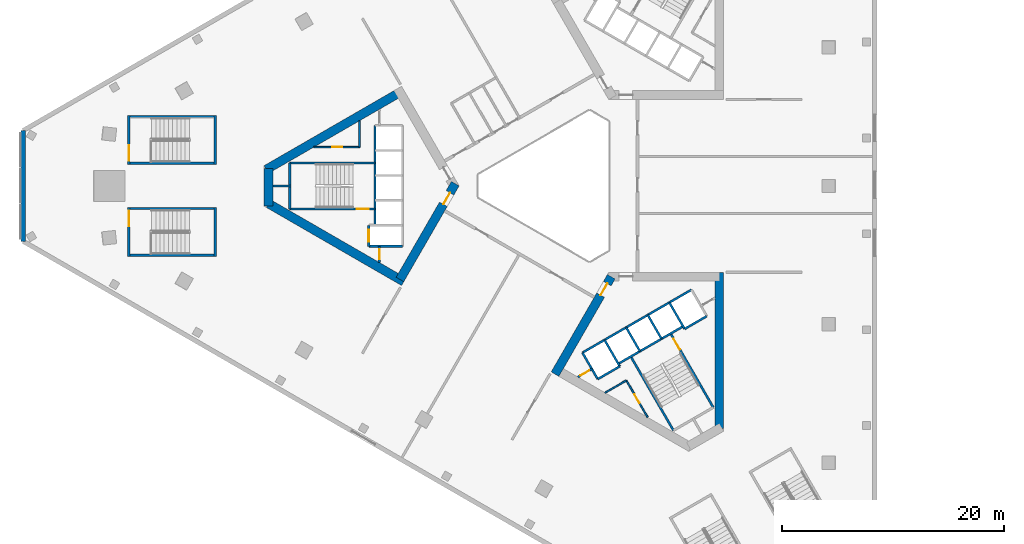
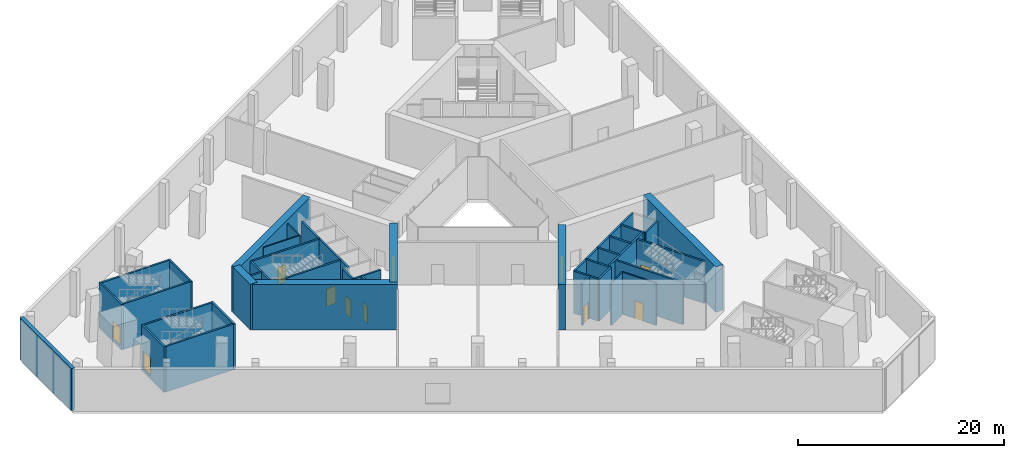
# One storey, part 8 of 35: 39 walls, 11 doors, 11 openings.
"""IFC4 building model written with IfcOpenShell, lengths in metres."""

from ifc_helpers import new_model, si_unit, direction, frame, frame_2d, origin, place, context, subcontext, project, spatial, rectangle, extrude, material, layer, layer_set, type_object, element, fill, save


model = new_model("IFC4")

# Units and contexts
model_context = context("Model", 3, precision=1e-05, world=origin(), true_north=direction((0.0, 1.0)))
body_context = subcontext(model_context, "Body", "Model", "MODEL_VIEW")
ifc_project = project(units=[si_unit("LENGTHUNIT", "METRE"), si_unit("AREAUNIT", "SQUARE_METRE"), si_unit("VOLUMEUNIT", "CUBIC_METRE"), si_unit("PLANEANGLEUNIT", "RADIAN"), si_unit("MASSUNIT", "GRAM", prefix="KILO")], contexts=[model_context])

# Site, building, storey
site_placement = place(None, origin())
site = spatial("IfcSite", under=ifc_project, at=site_placement, CompositionType="ELEMENT")
building_placement = place(site_placement, origin())
building = spatial("IfcBuilding", under=site, at=building_placement, Name="Jabali Bay Hotel Tower and Convention Centre", CompositionType="ELEMENT")
storey_placement = place(building_placement, frame((0.0, 0.0, 15.0)))
storey = spatial("IfcBuildingStorey", under=building, at=storey_placement, Name="L02", CompositionType="ELEMENT", Elevation=15.0)

# Wall
ifc_material_1 = material(Name="Concrete C40", Category="concrete")
ifc_layer_1 = layer(ifc_material_1, 0.199951171875)
ifc_layer_set_1 = layer_set([ifc_layer_1], Name="Concrete C40")
wall_type_1 = type_object("IfcWallType", Name="Core partition wall 200", PredefinedType="PARTITIONING", material=ifc_layer_set_1)
wall_1_placement = place(storey_placement, frame((50.820068359375, 80.0, 0.0), z_axis=(0.0, 0.0, 1.0), x_axis=(-1.0, 0.0, 0.0)))
element("IfcWall", 1, at=wall_1_placement, inside=storey, type_object=wall_type_1, Name="Core wall 0.5 L02", PredefinedType="PARTITIONING", context=body_context, shape_type="SweptSolid", body=[
    extrude(rectangle(XDim=1.623046875, YDim=0.199951171875, at=frame_2d((0.8115234375, 0.0))), origin(), (0.0, 0.0, 1.0), 5.0),
])

# Wall, opening, door
wall_2_placement = place(storey_placement, frame((58.800048828125, 74.550048828125, 0.0), z_axis=(0.0, 0.0, 1.0), x_axis=(0.0, -1.0, 0.0)))
wall_2 = element("IfcWall", 2, at=wall_2_placement, inside=storey, type_object=wall_type_1, Name="Core wall 0.12 L02", PredefinedType="PARTITIONING", context=body_context, shape_type="SweptSolid", body=[
    extrude(rectangle(XDim=1.455078125, YDim=0.199951171875, at=frame_2d((0.7275390625, 0.0))), origin(), (0.0, 0.0, 1.0), 5.0),
])
opening_1_placement = place(wall_2_placement, frame((0.277587890625, 0.0, 0.0)))
opening_1 = element("IfcOpeningElement", 3, at=opening_1_placement, cuts=wall_2, Name="Opening D146", PredefinedType="OPENING", context=body_context, shape_type="SweptSolid", body=[
    extrude(rectangle(XDim=0.89990234375, YDim=2.10009765625, at=frame_2d((0.449951171875, 1.050048828125))), frame((0.0, 0.1103515625, 0.0), z_axis=(0.0, -1.0, 0.0), x_axis=(1.0, 0.0, 0.0)), (0.0, 0.0, 1.0), 0.220947265625),
])
ifc_material_2 = material(Name="Fire-rated steel door", Category="steel")
door_type_1 = type_object("IfcDoorType", Name="Vestibule fire door 900 x 2100", OperationType="NOTDEFINED", PredefinedType="NOTDEFINED", material=ifc_material_2)
door_1_placement = place(opening_1_placement, origin())
door_1 = element("IfcDoor", 4, at=door_1_placement, inside=storey, type_object=door_type_1, Name="Vestibule fire door D146", OperationType="SINGLE_SWING_LEFT", OverallHeight=2.10009765625, OverallWidth=0.89990234375, PredefinedType="NOTDEFINED", context=body_context, shape_type="SweptSolid", body=[
    extrude(rectangle(XDim=0.89990234375, YDim=2.10009765625, at=frame_2d((0.449951171875, 1.050048828125))), frame((0.0, 0.02490234375, 0.0), z_axis=(0.0, -1.0, 0.0), x_axis=(1.0, 0.0, 0.0)), (0.0, 0.0, 1.0), 0.050048828125),
])
fill(opening_1, door_1)

wall_3_placement = place(storey_placement, frame((76.719970703125, 62.748779296875, 0.0), z_axis=(0.0, 0.0, 1.0), x_axis=(0.866054810376, 0.49994906283, 0.0)))
wall_3 = element("IfcWall", 5, at=wall_3_placement, inside=storey, type_object=wall_type_1, Name="Core wall 2.11 L02", PredefinedType="PARTITIONING", context=body_context, shape_type="SweptSolid", body=[
    extrude(rectangle(XDim=1.461181640625, YDim=0.199951171875, at=frame_2d((0.73046875, 0.0))), origin(), (0.0, 0.0, 1.0), 5.0),
])
opening_2_placement = place(wall_3_placement, frame((0.280517578125, 0.0, 0.0)))
opening_2 = element("IfcOpeningElement", 6, at=opening_2_placement, cuts=wall_3, Name="Opening D159", PredefinedType="OPENING", context=body_context, shape_type="SweptSolid", body=[
    extrude(rectangle(XDim=0.89990234375, YDim=2.10009765625, at=frame_2d((0.449951171875, 1.050048828125))), frame((0.0, 0.1103515625, 0.0), z_axis=(0.0, -1.0, 0.0), x_axis=(1.0, 0.0, 0.0)), (0.0, 0.0, 1.0), 0.220947265625),
])
door_2_placement = place(opening_2_placement, origin())
door_2 = element("IfcDoor", 7, at=door_2_placement, inside=storey, type_object=door_type_1, Name="Vestibule fire door D159", OperationType="SINGLE_SWING_LEFT", OverallHeight=2.10009765625, OverallWidth=0.89990234375, PredefinedType="NOTDEFINED", context=body_context, shape_type="SweptSolid", body=[
    extrude(rectangle(XDim=0.89990234375, YDim=2.10009765625, at=frame_2d((0.449951171875, 1.050048828125))), frame((0.0, 0.02490234375, 0.0), z_axis=(0.0, -1.0, 0.0), x_axis=(1.0, 0.0, 0.0)), (0.0, 0.0, 1.0), 0.050048828125),
])
fill(opening_2, door_2)

ifc_material_3 = material(Name="Fire-rated board partition")
ifc_layer_2 = layer(ifc_material_3, 0.14990234375)
ifc_layer_set_2 = layer_set([ifc_layer_2], Name="Fire-rated board partition")
wall_type_2 = type_object("IfcWallType", Name="Core room partition 150", PredefinedType="PARTITIONING", material=ifc_layer_set_2)
wall_4_placement = place(storey_placement, frame((57.02001953125, 83.5, 0.0), z_axis=(0.0, 0.0, 1.0), x_axis=(-1.0, 0.0, 0.0)))
wall_4 = element("IfcWall", 8, at=wall_4_placement, inside=storey, type_object=wall_type_2, Name="Core wall 0.1 L02", PredefinedType="PARTITIONING", context=body_context, shape_type="SweptSolid", body=[
    extrude(rectangle(XDim=4.117919921875, YDim=0.14990234375, at=frame_2d((2.05908203125, 0.0))), origin(), (0.0, 0.0, 1.0), 5.0),
])
opening_3_placement = place(wall_4_placement, frame((1.58154296875, 0.0, 0.0)))
opening_3 = element("IfcOpeningElement", 9, at=opening_3_placement, cuts=wall_4, Name="Opening D149", PredefinedType="OPENING", context=body_context, shape_type="SweptSolid", body=[
    extrude(rectangle(XDim=0.89990234375, YDim=2.10009765625, at=frame_2d((0.449951171875, 1.050048828125))), frame((0.0, 0.08544921875, 0.0), z_axis=(0.0, -1.0, 0.0), x_axis=(1.0, 0.0, 0.0)), (0.0, 0.0, 1.0), 0.1708984375),
])
door_type_2 = type_object("IfcDoorType", Name="Core room door 900 x 2100", OperationType="NOTDEFINED", PredefinedType="NOTDEFINED", material=ifc_material_2)
door_3_placement = place(opening_3_placement, origin())
door_3 = element("IfcDoor", 10, at=door_3_placement, inside=storey, type_object=door_type_2, Name="Core room door D149", OperationType="SINGLE_SWING_LEFT", OverallHeight=2.10009765625, OverallWidth=0.89990234375, PredefinedType="NOTDEFINED", context=body_context, shape_type="SweptSolid", body=[
    extrude(rectangle(XDim=0.89990234375, YDim=2.10009765625, at=frame_2d((0.449951171875, 1.050048828125))), frame((0.0, 0.02490234375, 0.0), z_axis=(0.0, -1.0, 0.0), x_axis=(1.0, 0.0, 0.0)), (0.0, 0.0, 1.0), 0.050048828125),
])
fill(opening_3, door_3)

# Wall
wall_5_placement = place(storey_placement, frame((57.02001953125, 85.87744140625, 0.0), z_axis=(0.0, 0.0, 1.0), x_axis=(0.0, -1.0, 0.0)))
element("IfcWall", 11, at=wall_5_placement, inside=storey, type_object=wall_type_2, Name="Core wall 0.15 L02", PredefinedType="PARTITIONING", context=body_context, shape_type="SweptSolid", body=[
    extrude(rectangle(XDim=2.37744140625, YDim=0.14990234375, at=frame_2d((1.188720703125, 0.0))), origin(), (0.0, 0.0, 1.0), 5.0),
])

# Wall, opening, door
wall_6_placement = place(storey_placement, frame((81.093994140625, 62.445068359375, 0.0), z_axis=(0.0, 0.0, 1.0), x_axis=(0.499987921047, -0.866032377459, 0.0)))
wall_6 = element("IfcWall", 12, at=wall_6_placement, inside=storey, type_object=wall_type_2, Name="Core wall 2.1 L02", PredefinedType="PARTITIONING", context=body_context, shape_type="SweptSolid", body=[
    extrude(rectangle(XDim=3.84765625, YDim=0.14990234375, at=frame_2d((1.923828125, 0.0))), origin(), (0.0, 0.0, 1.0), 5.0),
])
opening_4_placement = place(wall_6_placement, frame((1.446533203125, 0.0, 0.0)))
opening_4 = element("IfcOpeningElement", 13, at=opening_4_placement, cuts=wall_6, Name="Opening D161", PredefinedType="OPENING", context=body_context, shape_type="SweptSolid", body=[
    extrude(rectangle(XDim=0.89990234375, YDim=2.10009765625, at=frame_2d((0.449951171875, 1.050048828125))), frame((0.0, 0.08544921875, 0.0), z_axis=(0.0, -1.0, 0.0), x_axis=(1.0, 0.0, 0.0)), (0.0, 0.0, 1.0), 0.1708984375),
])
door_4_placement = place(opening_4_placement, origin())
door_4 = element("IfcDoor", 14, at=door_4_placement, inside=storey, type_object=door_type_2, Name="Core room door D161", OperationType="SINGLE_SWING_LEFT", OverallHeight=2.10009765625, OverallWidth=0.89990234375, PredefinedType="NOTDEFINED", context=body_context, shape_type="SweptSolid", body=[
    extrude(rectangle(XDim=0.89990234375, YDim=2.10009765625, at=frame_2d((0.449951171875, 1.050048828125))), frame((0.0, 0.02490234375, 0.0), z_axis=(0.0, -1.0, 0.0), x_axis=(1.0, 0.0, 0.0)), (0.0, 0.0, 1.0), 0.050048828125),
])
fill(opening_4, door_4)

# Walls
wall_7_placement = place(storey_placement, frame((79.169921875, 61.334228515625, 0.0), z_axis=(0.0, 0.0, 1.0), x_axis=(0.866030041738, 0.499991966744, 0.0)))
element("IfcWall", 15, at=wall_7_placement, inside=storey, type_object=wall_type_2, Name="Core wall 2.16 L02", PredefinedType="PARTITIONING", context=body_context, shape_type="SweptSolid", body=[
    extrude(rectangle(XDim=2.2216796875, YDim=0.14990234375, at=frame_2d((1.11083984375, 0.0))), origin(), (0.0, 0.0, 1.0), 5.0),
])
ifc_layer_3 = layer(ifc_material_1, 0.199951171875)
ifc_layer_set_3 = layer_set([ifc_layer_3], Name="Concrete C40")
wall_type_3 = type_object("IfcWallType", Name="Core stair wall 200", PredefinedType="SOLIDWALL", material=ifc_layer_set_3)
wall_8_placement = place(storey_placement, frame((58.419921875, 82.074951171875, 0.0), z_axis=(0.0, 0.0, 1.0), x_axis=(-1.0, 0.0, 0.0)))
element("IfcWall", 16, at=wall_8_placement, inside=storey, type_object=wall_type_3, Name="Core wall 0.3 L02", PredefinedType="SOLIDWALL", context=body_context, shape_type="SweptSolid", body=[
    extrude(rectangle(XDim=7.699951171875, YDim=0.199951171875, at=frame_2d((3.85009765625, 0.0))), origin(), (0.0, 0.0, 1.0), 5.0),
])

# Wall, opening, door
wall_9_placement = place(storey_placement, frame((58.419921875, 77.925048828125, 0.0), z_axis=(0.0, 0.0, 1.0), x_axis=(-1.0, 0.0, 0.0)))
wall_9 = element("IfcWall", 17, at=wall_9_placement, inside=storey, type_object=wall_type_3, Name="Core wall 0.7 L02", PredefinedType="SOLIDWALL", context=body_context, shape_type="SweptSolid", body=[
    extrude(rectangle(XDim=7.699951171875, YDim=0.199951171875, at=frame_2d((3.85009765625, 0.0))), origin(), (0.0, 0.0, 1.0), 5.0),
])
opening_5_placement = place(wall_9_placement, frame((0.550048828125, 0.0, 0.0)))
opening_5 = element("IfcOpeningElement", 18, at=opening_5_placement, cuts=wall_9, Name="Opening D148", PredefinedType="OPENING", context=body_context, shape_type="SweptSolid", body=[
    extrude(rectangle(XDim=1.10009765625, YDim=2.10009765625, at=frame_2d((0.550048828125, 1.050048828125))), frame((0.0, 0.1103515625, 0.0), z_axis=(0.0, -1.0, 0.0), x_axis=(1.0, 0.0, 0.0)), (0.0, 0.0, 1.0), 0.220947265625),
])
door_type_3 = type_object("IfcDoorType", Name="Stair fire door 1100 x 2100", OperationType="NOTDEFINED", PredefinedType="NOTDEFINED", material=ifc_material_2)
door_5_placement = place(opening_5_placement, origin())
door_5 = element("IfcDoor", 19, at=door_5_placement, inside=storey, type_object=door_type_3, Name="Stair fire door D148", OperationType="SINGLE_SWING_RIGHT", OverallHeight=2.10009765625, OverallWidth=1.10009765625, PredefinedType="NOTDEFINED", context=body_context, shape_type="SweptSolid", body=[
    extrude(rectangle(XDim=1.10009765625, YDim=2.10009765625, at=frame_2d((0.550048828125, 1.050048828125))), frame((0.0, 0.02490234375, 0.0), z_axis=(0.0, -1.0, 0.0), x_axis=(1.0, 0.0, 0.0)), (0.0, 0.0, 1.0), 0.050048828125),
])
fill(opening_5, door_5)

# Walls
wall_10_placement = place(storey_placement, frame((60.89990234375, 74.550048828125, 0.0), z_axis=(0.0, 0.0, 1.0), x_axis=(-1.0, 0.0, 0.0)))
element("IfcWall", 20, at=wall_10_placement, inside=storey, type_object=wall_type_3, Name="Core wall 0.9 L02", PredefinedType="SOLIDWALL", context=body_context, shape_type="SweptSolid", body=[
    extrude(rectangle(XDim=3.0498046875, YDim=0.199951171875, at=frame_2d((1.52490234375, 0.0))), origin(), (0.0, 0.0, 1.0), 5.0),
])
wall_11_placement = place(storey_placement, frame((58.419921875, 85.449951171875, 0.0), z_axis=(0.0, 0.0, 1.0), x_axis=(0.0, -1.0, 0.0)))
element("IfcWall", 21, at=wall_11_placement, inside=storey, type_object=wall_type_3, Name="Core wall 0.13 L02", PredefinedType="SOLIDWALL", context=body_context, shape_type="SweptSolid", body=[
    extrude(rectangle(XDim=9.0, YDim=0.199951171875, at=frame_2d((4.5, 0.0))), origin(), (0.0, 0.0, 1.0), 5.0),
])

# Wall, opening, door
wall_12_placement = place(storey_placement, frame((57.85009765625, 76.449951171875, 0.0), z_axis=(0.0, 0.0, 1.0), x_axis=(0.0, -1.0, 0.0)))
wall_12 = element("IfcWall", 22, at=wall_12_placement, inside=storey, type_object=wall_type_3, Name="Core wall 0.14 L02", PredefinedType="SOLIDWALL", context=body_context, shape_type="SweptSolid", body=[
    extrude(rectangle(XDim=1.89990234375, YDim=0.199951171875, at=frame_2d((0.949951171875, 0.0))), origin(), (0.0, 0.0, 1.0), 5.0),
])
opening_6_placement = place(wall_12_placement, frame((0.39990234375, 0.0, 0.0)))
opening_6 = element("IfcOpeningElement", 23, at=opening_6_placement, cuts=wall_12, Name="Opening LD5-L02", PredefinedType="OPENING", context=body_context, shape_type="SweptSolid", body=[
    extrude(rectangle(XDim=1.10009765625, YDim=2.10009765625, at=frame_2d((0.550048828125, 1.050048828125))), frame((0.0, 0.1103515625, 0.0), z_axis=(0.0, -1.0, 0.0), x_axis=(1.0, 0.0, 0.0)), (0.0, 0.0, 1.0), 0.220947265625),
])
ifc_material_4 = material(Name="Stainless steel landing door", Category="steel")
door_type_4 = type_object("IfcDoorType", Name="Landing door 1100 x 2100", OperationType="NOTDEFINED", PredefinedType="NOTDEFINED", material=ifc_material_4)
door_6_placement = place(opening_6_placement, origin())
door_6 = element("IfcDoor", 24, at=door_6_placement, inside=storey, type_object=door_type_4, Name="Landing doors LD5-L02", OperationType="SLIDING_TO_RIGHT", OverallHeight=2.10009765625, OverallWidth=1.10009765625, PredefinedType="NOTDEFINED", context=body_context, shape_type="SweptSolid", body=[
    extrude(rectangle(XDim=1.10009765625, YDim=2.10009765625, at=frame_2d((0.550048828125, 1.050048828125))), frame((0.0, 0.02490234375, 0.0), z_axis=(0.0, -1.0, 0.0), x_axis=(1.0, 0.0, 0.0)), (0.0, 0.0, 1.0), 0.050048828125),
])
fill(opening_6, door_6)

# Walls
wall_13_placement = place(storey_placement, frame((50.719970703125, 82.074951171875, 0.0), z_axis=(0.0, 0.0, 1.0), x_axis=(0.0, -1.0, 0.0)))
element("IfcWall", 25, at=wall_13_placement, inside=storey, type_object=wall_type_3, Name="Core wall 0.16 L02", PredefinedType="SOLIDWALL", context=body_context, shape_type="SweptSolid", body=[
    extrude(rectangle(XDim=4.14990234375, YDim=0.199951171875, at=frame_2d((2.074951171875, 0.0))), origin(), (0.0, 0.0, 1.0), 5.0),
])
for number, where, z_axis, x_axis, name in (
    (26, (77.13525390625, 64.95166015625, 0.0), (0.0, 0.0, 1.0), (0.499996545922, -0.866027397988, 0.0), "Core wall 2.0 L02"),
    (27, (79.127197265625, 66.1015625, 0.0), (0.0, 0.0, 1.0), (0.499996545922, -0.866027397988, 0.0), "Core wall 2.2 L02"),
):
    element("IfcWall", number, at=place(storey_placement, frame(where, z_axis=z_axis, x_axis=x_axis)), inside=storey, type_object=wall_type_3, Name=name, PredefinedType="SOLIDWALL", context=body_context, shape_type="SweptSolid", body=[
        extrude(rectangle(XDim=2.75, YDim=0.199951171875, at=frame_2d((1.375, 0.0))), origin(), (0.0, 0.0, 1.0), 5.0),
    ])
wall_14_placement = place(storey_placement, frame((81.492919921875, 64.603759765625, 0.0), z_axis=(0.0, 0.0, 1.0), x_axis=(0.500006057782, -0.866021906294, 0.0)))
element("IfcWall", 28, at=wall_14_placement, inside=storey, type_object=wall_type_3, Name="Core wall 2.3 L02", PredefinedType="SOLIDWALL", context=body_context, shape_type="SweptSolid", body=[
    extrude(rectangle(XDim=7.7001953125, YDim=0.199951171875, at=frame_2d((3.85009765625, 0.0))), origin(), (0.0, 0.0, 1.0), 5.0),
])
for number, where, z_axis, x_axis, name in (
    (29, (81.07568359375, 67.2265625, 0.0), (0.0, 0.0, 1.0), (0.50000366821, -0.866023285932, 0.0), "Core wall 2.4 L02"),
    (30, (83.024169921875, 68.3515625, 0.0), (0.0, 0.0, 1.0), (0.50000366821, -0.866023285932, 0.0), "Core wall 2.6 L02"),
):
    element("IfcWall", number, at=place(storey_placement, frame(where, z_axis=z_axis, x_axis=x_axis)), inside=storey, type_object=wall_type_3, Name=name, PredefinedType="SOLIDWALL", context=body_context, shape_type="SweptSolid", body=[
        extrude(rectangle(XDim=2.47998046875, YDim=0.199951171875, at=frame_2d((1.239990234375, 0.0))), origin(), (0.0, 0.0, 1.0), 5.0),
    ])

# Wall, opening, door
wall_15_placement = place(storey_placement, frame((85.0869140625, 66.6787109375, 0.0), z_axis=(0.0, 0.0, 1.0), x_axis=(0.500019787375, -0.866013979237, 0.0)))
wall_15 = element("IfcWall", 31, at=wall_15_placement, inside=storey, type_object=wall_type_3, Name="Core wall 2.7 L02", PredefinedType="SOLIDWALL", context=body_context, shape_type="SweptSolid", body=[
    extrude(rectangle(XDim=7.699951171875, YDim=0.199951171875, at=frame_2d((3.85009765625, 0.0))), origin(), (0.0, 0.0, 1.0), 5.0),
])
opening_7_placement = place(wall_15_placement, frame((0.550048828125, 0.0, 0.0)))
opening_7 = element("IfcOpeningElement", 32, at=opening_7_placement, cuts=wall_15, Name="Opening D160", PredefinedType="OPENING", context=body_context, shape_type="SweptSolid", body=[
    extrude(rectangle(XDim=1.10009765625, YDim=2.10009765625, at=frame_2d((0.550048828125, 1.050048828125))), frame((0.0, 0.1103515625, 0.0), z_axis=(0.0, -1.0, 0.0), x_axis=(1.0, 0.0, 0.0)), (0.0, 0.0, 1.0), 0.220947265625),
])
door_7_placement = place(opening_7_placement, origin())
door_7 = element("IfcDoor", 33, at=door_7_placement, inside=storey, type_object=door_type_3, Name="Stair fire door D160", OperationType="SINGLE_SWING_RIGHT", OverallHeight=2.10009765625, OverallWidth=1.10009765625, PredefinedType="NOTDEFINED", context=body_context, shape_type="SweptSolid", body=[
    extrude(rectangle(XDim=1.10009765625, YDim=2.10009765625, at=frame_2d((0.550048828125, 1.050048828125))), frame((0.0, 0.02490234375, 0.0), z_axis=(0.0, -1.0, 0.0), x_axis=(1.0, 0.0, 0.0)), (0.0, 0.0, 1.0), 0.050048828125),
])
fill(opening_7, door_7)

# Walls
wall_16_placement = place(storey_placement, frame((84.972900390625, 69.4765625, 0.0), z_axis=(0.0, 0.0, 1.0), x_axis=(0.499996545922, -0.866027397988, 0.0)))
element("IfcWall", 34, at=wall_16_placement, inside=storey, type_object=wall_type_3, Name="Core wall 2.8 L02", PredefinedType="SOLIDWALL", context=body_context, shape_type="SweptSolid", body=[
    extrude(rectangle(XDim=2.75, YDim=0.199951171875, at=frame_2d((1.375, 0.0))), origin(), (0.0, 0.0, 1.0), 5.0),
])
wall_17_placement = place(storey_placement, frame((77.13525390625, 64.95166015625, 0.0), z_axis=(0.0, 0.0, 1.0), x_axis=(0.866031916153, 0.499988720078, 0.0)))
element("IfcWall", 35, at=wall_17_placement, inside=storey, type_object=wall_type_3, Name="Core wall 2.10 L02", PredefinedType="SOLIDWALL", context=body_context, shape_type="SweptSolid", body=[
    extrude(rectangle(XDim=11.349853515625, YDim=0.199951171875, at=frame_2d((5.6748046875, 0.0))), origin(), (0.0, 0.0, 1.0), 5.0),
])
wall_18_placement = place(storey_placement, frame((80.3671875, 63.953857421875, 0.0), z_axis=(0.0, 0.0, 1.0), x_axis=(0.866026575979, 0.499997969693, 0.0)))
element("IfcWall", 36, at=wall_18_placement, inside=storey, type_object=wall_type_3, Name="Core wall 2.13 L02", PredefinedType="SOLIDWALL", context=body_context, shape_type="SweptSolid", body=[
    extrude(rectangle(XDim=6.75, YDim=0.199951171875, at=frame_2d((3.375, 0.0))), origin(), (0.0, 0.0, 1.0), 5.0),
])
wall_19_placement = place(storey_placement, frame((78.51025390625, 62.570068359375, 0.0), z_axis=(0.0, 0.0, 1.0), x_axis=(0.866053019151, 0.499952165731, 0.0)))
element("IfcWall", 37, at=wall_19_placement, inside=storey, type_object=wall_type_3, Name="Core wall 2.14 L02", PredefinedType="SOLIDWALL", context=body_context, shape_type="SweptSolid", body=[
    extrude(rectangle(XDim=2.300048828125, YDim=0.199951171875, at=frame_2d((1.14990234375, 0.0))), origin(), (0.0, 0.0, 1.0), 5.0),
])
wall_20_placement = place(storey_placement, frame((86.347900390625, 67.094970703125, 0.0), z_axis=(0.0, 0.0, 1.0), x_axis=(0.86602648383, 0.499998129301, 0.0)))
element("IfcWall", 38, at=wall_20_placement, inside=storey, type_object=wall_type_3, Name="Core wall 2.15 L02", PredefinedType="SOLIDWALL", context=body_context, shape_type="SweptSolid", body=[
    extrude(rectangle(XDim=2.2998046875, YDim=0.199951171875, at=frame_2d((1.14990234375, 0.0))), origin(), (0.0, 0.0, 1.0), 5.0),
])
ifc_material_5 = material(Name="Concrete C60", Category="concrete")
ifc_layer_4 = layer(ifc_material_5, 0.800048828125)
ifc_layer_set_4 = layer_set([ifc_layer_4], Name="Concrete C60")
wall_type_4 = type_object("IfcWallType", Name="Core wall 800", PredefinedType="SHEAR", material=ifc_layer_set_4)
wall_21_placement = place(storey_placement, frame((60.66357421875, 88.44287109375, 0.0), z_axis=(0.0, 0.0, 1.0), x_axis=(-0.866029478545, -0.499992942241, 0.0)))
element("IfcWall", 39, at=wall_21_placement, inside=storey, type_object=wall_type_4, Name="Core wall 1.2 L02", PredefinedType="SHEAR", context=body_context, shape_type="SweptSolid", body=[
    extrude(rectangle(XDim=13.933349609375, YDim=0.800048828125, at=frame_2d((6.966796875, 0.0))), origin(), (0.0, 0.0, 1.0), 5.39990234375),
])
wall_22_placement = place(storey_placement, frame((48.796875, 81.591796875, 0.0), z_axis=(0.0, 0.0, 1.0), x_axis=(0.0, -1.0, 0.0)))
element("IfcWall", 40, at=wall_22_placement, inside=storey, type_object=wall_type_4, Name="Core wall 1.3 L02", PredefinedType="SHEAR", context=body_context, shape_type="SweptSolid", body=[
    extrude(rectangle(XDim=3.41455078125, YDim=0.800048828125, at=frame_2d((1.707275390625, 0.0))), origin(), (0.0, 0.0, 1.0), 5.39990234375),
])
wall_23_placement = place(storey_placement, frame((48.796875, 78.408203125, 0.0), z_axis=(0.0, 0.0, 1.0), x_axis=(0.866032504327, -0.499987701298, 0.0)))
element("IfcWall", 41, at=wall_23_placement, inside=storey, type_object=wall_type_4, Name="Core wall 1.4 L02", PredefinedType="SHEAR", context=body_context, shape_type="SweptSolid", body=[
    extrude(rectangle(XDim=14.102294921875, YDim=0.800048828125, at=frame_2d((7.05126953125, 0.0))), origin(), (0.0, 0.0, 1.0), 5.39990234375),
])

# Wall, opening, door
wall_24_placement = place(storey_placement, frame((60.66357421875, 71.55712890625, 0.0), z_axis=(0.0, 0.0, 1.0), x_axis=(0.50000409368, 0.866023040284, 0.0)))
wall_24 = element("IfcWall", 42, at=wall_24_placement, inside=storey, type_object=wall_type_4, Name="Core wall 1.5 L02", PredefinedType="SHEAR", context=body_context, shape_type="SweptSolid", body=[
    extrude(rectangle(XDim=9.97998046875, YDim=0.800048828125, at=frame_2d((4.989990234375, 0.0))), origin(), (0.0, 0.0, 1.0), 5.39990234375),
])
opening_8_placement = place(wall_24_placement, frame((7.830078125, 0.0, 0.0)))
opening_8 = element("IfcOpeningElement", 43, at=opening_8_placement, cuts=wall_24, Name="Opening D145", PredefinedType="OPENING", context=body_context, shape_type="SweptSolid", body=[
    extrude(rectangle(XDim=1.199951171875, YDim=2.10009765625, at=frame_2d((0.60009765625, 1.050048828125))), frame((0.0, 0.41064453125, 0.0), z_axis=(0.0, -1.0, 0.0), x_axis=(1.0, 0.0, 0.0)), (0.0, 0.0, 1.0), 0.821044921875),
])
door_type_5 = type_object("IfcDoorType", Name="Corridor end fire door 1200 x 2100", OperationType="NOTDEFINED", PredefinedType="NOTDEFINED", material=ifc_material_2)
door_8_placement = place(opening_8_placement, origin())
door_8 = element("IfcDoor", 44, at=door_8_placement, inside=storey, type_object=door_type_5, Name="Corridor end fire door D145", OperationType="SINGLE_SWING_LEFT", OverallHeight=2.10009765625, OverallWidth=1.199951171875, PredefinedType="NOTDEFINED", context=body_context, shape_type="SweptSolid", body=[
    extrude(rectangle(XDim=1.199951171875, YDim=2.10009765625, at=frame_2d((0.60009765625, 1.050048828125))), frame((0.0, 0.02490234375, 0.0), z_axis=(0.0, -1.0, 0.0), x_axis=(1.0, 0.0, 0.0)), (0.0, 0.0, 1.0), 0.050048828125),
])
fill(opening_8, door_8)

wall_25_placement = place(storey_placement, frame((79.73095703125, 71.8056640625, 0.0), z_axis=(0.0, 0.0, 1.0), x_axis=(-0.49999662545, -0.866027352073, 0.0)))
wall_25 = element("IfcWall", 45, at=wall_25_placement, inside=storey, type_object=wall_type_4, Name="Core wall 3.1 L02", PredefinedType="SHEAR", context=body_context, shape_type="SweptSolid", body=[
    extrude(rectangle(XDim=10.14892578125, YDim=0.800048828125, at=frame_2d((5.074462890625, 0.0))), origin(), (0.0, 0.0, 1.0), 5.39990234375),
])
opening_9_placement = place(wall_25_placement, frame((0.718994140625, 0.0, 0.0)))
opening_9 = element("IfcOpeningElement", 46, at=opening_9_placement, cuts=wall_25, Name="Opening D156", PredefinedType="OPENING", context=body_context, shape_type="SweptSolid", body=[
    extrude(rectangle(XDim=1.199951171875, YDim=2.10009765625, at=frame_2d((0.60009765625, 1.050048828125))), frame((0.0, 0.41064453125, 0.0), z_axis=(0.0, -1.0, 0.0), x_axis=(1.0, 0.0, 0.0)), (0.0, 0.0, 1.0), 0.821044921875),
])
door_9_placement = place(opening_9_placement, origin())
door_9 = element("IfcDoor", 47, at=door_9_placement, inside=storey, type_object=door_type_5, Name="Corridor end fire door D156", OperationType="SINGLE_SWING_RIGHT", OverallHeight=2.10009765625, OverallWidth=1.199951171875, PredefinedType="NOTDEFINED", context=body_context, shape_type="SweptSolid", body=[
    extrude(rectangle(XDim=1.199951171875, YDim=2.10009765625, at=frame_2d((0.60009765625, 1.050048828125))), frame((0.0, 0.02490234375, 0.0), z_axis=(0.0, -1.0, 0.0), x_axis=(1.0, 0.0, 0.0)), (0.0, 0.0, 1.0), 0.050048828125),
])
fill(opening_9, door_9)

# Walls
wall_26_placement = place(storey_placement, frame((89.47998046875, 58.103271484375, 0.0), z_axis=(0.0, 0.0, 1.0), x_axis=(0.0, 1.0, 0.0)))
element("IfcWall", 48, at=wall_26_placement, inside=storey, type_object=wall_type_4, Name="Core wall 3.4 L02", PredefinedType="SHEAR", context=body_context, shape_type="SweptSolid", body=[
    extrude(rectangle(XDim=14.1025390625, YDim=0.800048828125, at=frame_2d((7.05126953125, 0.0))), origin(), (0.0, 0.0, 1.0), 5.39990234375),
])
ifc_layer_5 = layer(ifc_material_1, 0.39990234375)
ifc_layer_set_5 = layer_set([ifc_layer_5], Name="Concrete C40")
wall_type_5 = type_object("IfcWallType", Name="Podium external wall 400", PredefinedType="SOLIDWALL", material=ifc_layer_set_5)
wall_27_placement = place(storey_placement, frame((26.66015625, 75.0, 0.0), z_axis=(0.0, 0.0, 1.0), x_axis=(0.0, 1.0, 0.0)))
element("IfcWall", 49, at=wall_27_placement, inside=storey, type_object=wall_type_5, Name="External wall west chamfer L02", PredefinedType="SOLIDWALL", context=body_context, shape_type="SweptSolid", body=[
    extrude(rectangle(XDim=10.0, YDim=0.39990234375, at=frame_2d((5.0, 0.0))), origin(), (0.0, 0.0, 1.0), 5.0),
])

# Wall, opening, door
ifc_layer_6 = layer(ifc_material_1, 0.199951171875)
ifc_layer_set_6 = layer_set([ifc_layer_6], Name="Concrete C40")
wall_type_6 = type_object("IfcWallType", Name="Podium stair enclosure wall 200", PredefinedType="SOLIDWALL", material=ifc_layer_set_6)
wall_28_placement = place(storey_placement, frame((36.199951171875, 78.050048828125, -0.39990234375), z_axis=(0.0, 0.0, 1.0), x_axis=(0.0, -1.0, 0.0)))
wall_28 = element("IfcWall", 50, at=wall_28_placement, inside=storey, type_object=wall_type_6, Name="Podium stair wall 1.1 L02", PredefinedType="SOLIDWALL", context=body_context, shape_type="SweptSolid", body=[
    extrude(rectangle(XDim=4.400146484375, YDim=0.199951171875, at=frame_2d((2.2001953125, 0.0))), origin(), (0.0, 0.0, 1.0), 5.39990234375),
])
opening_10_placement = place(wall_28_placement, frame((0.300048828125, 0.0, 0.39990234375)))
opening_10 = element("IfcOpeningElement", 51, at=opening_10_placement, cuts=wall_28, Name="Opening D1738", PredefinedType="OPENING", context=body_context, shape_type="SweptSolid", body=[
    extrude(rectangle(XDim=1.39990234375, YDim=2.10009765625, at=frame_2d((0.699951171875, 1.050048828125))), frame((0.0, 0.1103515625, 0.0), z_axis=(0.0, -1.0, 0.0), x_axis=(1.0, 0.0, 0.0)), (0.0, 0.0, 1.0), 0.220947265625),
])
door_type_6 = type_object("IfcDoorType", Name="Podium stair fire door 1400 x 2100", OperationType="NOTDEFINED", PredefinedType="NOTDEFINED", material=ifc_material_2)
door_10_placement = place(opening_10_placement, origin())
door_10 = element("IfcDoor", 52, at=door_10_placement, inside=storey, type_object=door_type_6, Name="Podium stair fire door D1738", OperationType="SINGLE_SWING_RIGHT", OverallHeight=2.10009765625, OverallWidth=1.39990234375, PredefinedType="NOTDEFINED", context=body_context, shape_type="SweptSolid", body=[
    extrude(rectangle(XDim=1.39990234375, YDim=2.10009765625, at=frame_2d((0.699951171875, 1.050048828125))), frame((0.0, 0.02490234375, 0.0), z_axis=(0.0, -1.0, 0.0), x_axis=(1.0, 0.0, 0.0)), (0.0, 0.0, 1.0), 0.050048828125),
])
fill(opening_10, door_10)

# Walls
wall_29_placement = place(storey_placement, frame((36.10009765625, 73.75, -0.39990234375), z_axis=(0.0, 0.0, 1.0), x_axis=(1.0, 0.0, 0.0)))
element("IfcWall", 53, at=wall_29_placement, inside=storey, type_object=wall_type_6, Name="Podium stair wall 1.2 L02", PredefinedType="SOLIDWALL", context=body_context, shape_type="SweptSolid", body=[
    extrude(rectangle(XDim=8.0, YDim=0.199951171875, at=frame_2d((4.0, 0.0))), origin(), (0.0, 0.0, 1.0), 5.39990234375),
])
wall_30_placement = place(storey_placement, frame((44.0, 73.64990234375, -0.39990234375), z_axis=(0.0, 0.0, 1.0), x_axis=(0.0, 1.0, 0.0)))
element("IfcWall", 54, at=wall_30_placement, inside=storey, type_object=wall_type_6, Name="Podium stair wall 1.3 L02", PredefinedType="SOLIDWALL", context=body_context, shape_type="SweptSolid", body=[
    extrude(rectangle(XDim=4.400146484375, YDim=0.199951171875, at=frame_2d((2.2001953125, 0.0))), origin(), (0.0, 0.0, 1.0), 5.39990234375),
])
wall_31_placement = place(storey_placement, frame((44.10009765625, 77.949951171875, -0.39990234375), z_axis=(0.0, 0.0, 1.0), x_axis=(-1.0, 0.0, 0.0)))
element("IfcWall", 55, at=wall_31_placement, inside=storey, type_object=wall_type_6, Name="Podium stair wall 1.4 L02", PredefinedType="SOLIDWALL", context=body_context, shape_type="SweptSolid", body=[
    extrude(rectangle(XDim=8.0, YDim=0.199951171875, at=frame_2d((4.0, 0.0))), origin(), (0.0, 0.0, 1.0), 5.39990234375),
])

# Wall, opening, door
wall_32_placement = place(storey_placement, frame((36.199951171875, 86.35009765625, -0.39990234375), z_axis=(0.0, 0.0, 1.0), x_axis=(0.0, -1.0, 0.0)))
wall_32 = element("IfcWall", 56, at=wall_32_placement, inside=storey, type_object=wall_type_6, Name="Podium stair wall 2.1 L02", PredefinedType="SOLIDWALL", context=body_context, shape_type="SweptSolid", body=[
    extrude(rectangle(XDim=4.400146484375, YDim=0.199951171875, at=frame_2d((2.2001953125, 0.0))), origin(), (0.0, 0.0, 1.0), 5.39990234375),
])
opening_11_placement = place(wall_32_placement, frame((2.699951171875, 0.0, 0.39990234375)))
opening_11 = element("IfcOpeningElement", 57, at=opening_11_placement, cuts=wall_32, Name="Opening D1743", PredefinedType="OPENING", context=body_context, shape_type="SweptSolid", body=[
    extrude(rectangle(XDim=1.39990234375, YDim=2.10009765625, at=frame_2d((0.699951171875, 1.050048828125))), frame((0.0, 0.1103515625, 0.0), z_axis=(0.0, -1.0, 0.0), x_axis=(1.0, 0.0, 0.0)), (0.0, 0.0, 1.0), 0.220947265625),
])
door_11_placement = place(opening_11_placement, origin())
door_11 = element("IfcDoor", 58, at=door_11_placement, inside=storey, type_object=door_type_6, Name="Podium stair fire door D1743", OperationType="SINGLE_SWING_RIGHT", OverallHeight=2.10009765625, OverallWidth=1.39990234375, PredefinedType="NOTDEFINED", context=body_context, shape_type="SweptSolid", body=[
    extrude(rectangle(XDim=1.39990234375, YDim=2.10009765625, at=frame_2d((0.699951171875, 1.050048828125))), frame((0.0, 0.02490234375, 0.0), z_axis=(0.0, -1.0, 0.0), x_axis=(1.0, 0.0, 0.0)), (0.0, 0.0, 1.0), 0.050048828125),
])
fill(opening_11, door_11)

# Walls
wall_33_placement = place(storey_placement, frame((36.10009765625, 82.050048828125, -0.39990234375), z_axis=(0.0, 0.0, 1.0), x_axis=(1.0, 0.0, 0.0)))
element("IfcWall", 59, at=wall_33_placement, inside=storey, type_object=wall_type_6, Name="Podium stair wall 2.2 L02", PredefinedType="SOLIDWALL", context=body_context, shape_type="SweptSolid", body=[
    extrude(rectangle(XDim=8.0, YDim=0.199951171875, at=frame_2d((4.0, 0.0))), origin(), (0.0, 0.0, 1.0), 5.39990234375),
])
wall_34_placement = place(storey_placement, frame((44.0, 81.949951171875, -0.39990234375), z_axis=(0.0, 0.0, 1.0), x_axis=(0.0, 1.0, 0.0)))
element("IfcWall", 60, at=wall_34_placement, inside=storey, type_object=wall_type_6, Name="Podium stair wall 2.3 L02", PredefinedType="SOLIDWALL", context=body_context, shape_type="SweptSolid", body=[
    extrude(rectangle(XDim=4.400146484375, YDim=0.199951171875, at=frame_2d((2.2001953125, 0.0))), origin(), (0.0, 0.0, 1.0), 5.39990234375),
])
wall_35_placement = place(storey_placement, frame((44.10009765625, 86.25, -0.39990234375), z_axis=(0.0, 0.0, 1.0), x_axis=(-1.0, 0.0, 0.0)))
element("IfcWall", 61, at=wall_35_placement, inside=storey, type_object=wall_type_6, Name="Podium stair wall 2.4 L02", PredefinedType="SOLIDWALL", context=body_context, shape_type="SweptSolid", body=[
    extrude(rectangle(XDim=8.0, YDim=0.199951171875, at=frame_2d((4.0, 0.0))), origin(), (0.0, 0.0, 1.0), 5.39990234375),
])

save(model, "model.ifc")
